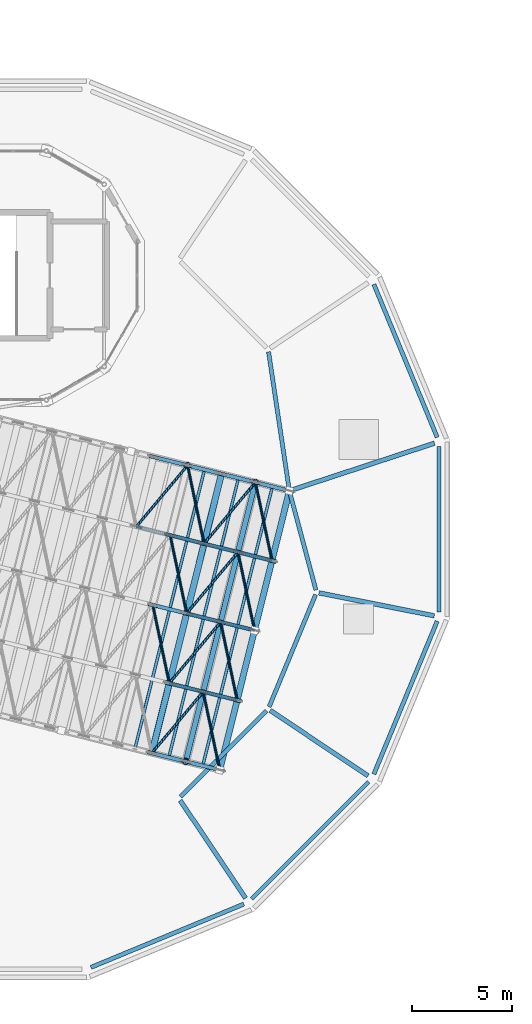
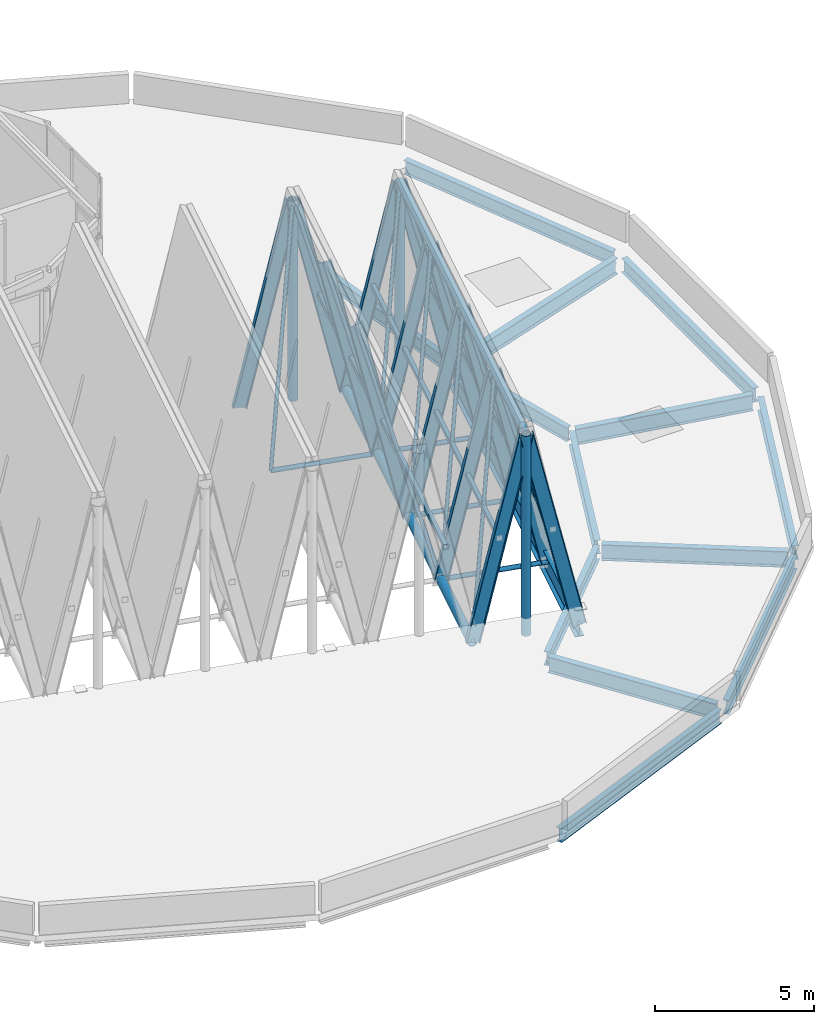
# One storey, part 14 of 51: 38 members, 14 beams.
"""IFC4 building model written with IfcOpenShell, lengths in metres."""

from ifc_helpers import new_model, si_unit, direction, frame, origin, origin_2d, place, context, subcontext, project, spatial, hollow_rectangle, hollow_circle, i_section, extrude, material, material_profile, profile_set, type_object, element, save


model = new_model("IFC4")

# Units and contexts
model_context = context("Model", 3, precision=1e-05, world=origin(), true_north=direction((0.0, 1.0)))
body_context = subcontext(model_context, "Body", "Model", "MODEL_VIEW")
ifc_project = project(units=[si_unit("LENGTHUNIT", "METRE"), si_unit("AREAUNIT", "SQUARE_METRE"), si_unit("VOLUMEUNIT", "CUBIC_METRE"), si_unit("PLANEANGLEUNIT", "RADIAN"), si_unit("MASSUNIT", "GRAM", prefix="KILO")], contexts=[model_context])

# Site, building, storey
site_placement = place(None, origin())
site = spatial("IfcSite", under=ifc_project, at=site_placement, CompositionType="ELEMENT")
building_placement = place(site_placement, origin())
building = spatial("IfcBuilding", under=site, at=building_placement, Name="Wrenclough Park School", CompositionType="ELEMENT")
storey_placement = place(building_placement, frame((0.0, 0.0, 16.800048828125)))
storey = spatial("IfcBuildingStorey", under=building, at=storey_placement, Name="L04", CompositionType="ELEMENT", Elevation=16.800048828125)

# Beams
ifc_material = material(Name="Structural steel S355", Category="steel")
ifc_material_profile_1 = material_profile(ifc_material, i_section(OverallWidth=0.209228515625, OverallDepth=0.533203125, WebThickness=0.010009765625, FlangeThickness=0.015625, FilletRadius=0.0126953125, at=origin_2d()), Name="UKB 533x210x92")
ifc_profile_set_1 = profile_set([ifc_material_profile_1], Name="Structural steel S355")
beam_type_1 = type_object("IfcBeamType", Name="STR-BM-UKB533A", PredefinedType="BEAM", material=ifc_profile_set_1)
beam_1_placement = place(storey_placement, frame((170.0048828125, 28.576416015625, -0.491455078125), z_axis=(-0.14786314815, 0.989007830818, 0.0), x_axis=(-0.989007830818, -0.14786314815, 0.0)))
element("IfcBeam", 1, at=beam_1_placement, inside=storey, type_object=beam_type_1, Name="D1 L04 middle ring beam 1", PredefinedType="BEAM", context=body_context, shape_type="SweptSolid", body=[
    extrude(i_section(OverallWidth=0.209228515625, OverallDepth=0.533203125, WebThickness=0.010009765625, FlangeThickness=0.015625, FilletRadius=0.0126953125, at=origin_2d()), origin(), (0.0, 0.0, 1.0), 6.878662109375),
])
beam_2_placement = place(storey_placement, frame((164.586669921875, 13.11669921875, -0.491455078125), z_axis=(0.707106781187, 0.707106781187, 0.0), x_axis=(-0.707106781187, 0.707106781187, 0.0)))
element("IfcBeam", 2, at=beam_2_placement, inside=storey, type_object=beam_type_1, Name="D1 L04 middle ring beam 14", PredefinedType="BEAM", context=body_context, shape_type="SweptSolid", body=[
    extrude(i_section(OverallWidth=0.209228515625, OverallDepth=0.533203125, WebThickness=0.010009765625, FlangeThickness=0.015625, FilletRadius=0.0126953125, at=origin_2d()), origin(), (0.0, 0.0, 1.0), 6.076416015625),
])
beam_3_placement = place(storey_placement, frame((169.0166015625, 17.61279296875, -0.491455078125), z_axis=(0.382668800126, 0.923885593248, 0.0), x_axis=(-0.923885593248, 0.382668800126, 0.0)))
element("IfcBeam", 3, at=beam_3_placement, inside=storey, type_object=beam_type_1, Name="D1 L04 middle ring beam 15", PredefinedType="BEAM", context=body_context, shape_type="SweptSolid", body=[
    extrude(i_section(OverallWidth=0.209228515625, OverallDepth=0.533203125, WebThickness=0.010009765625, FlangeThickness=0.015625, FilletRadius=0.0126953125, at=origin_2d()), origin(), (0.0, 0.0, 1.0), 6.076171875),
])
beam_4_placement = place(storey_placement, frame((171.357177734375, 23.45751953125, -0.491455078125), z_axis=(-0.258613669925, 0.965980833002, 0.0), x_axis=(-0.965980833002, -0.258613669925, 0.0)))
element("IfcBeam", 4, at=beam_4_placement, inside=storey, type_object=beam_type_1, Name="D1 L04 middle ring beam 16", PredefinedType="BEAM", context=body_context, shape_type="SweptSolid", body=[
    extrude(i_section(OverallWidth=0.209228515625, OverallDepth=0.533203125, WebThickness=0.010009765625, FlangeThickness=0.015625, FilletRadius=0.0126953125, at=origin_2d()), origin(), (0.0, 0.0, 1.0), 4.984619140625),
])
ifc_material_profile_2 = material_profile(ifc_material, i_section(OverallWidth=0.210693359375, OverallDepth=0.53955078125, WebThickness=0.01171875, FlangeThickness=0.018798828125, FilletRadius=0.0126953125, at=origin_2d()), Name="UKB 533x210x109")
ifc_profile_set_2 = profile_set([ifc_material_profile_2], Name="Structural steel S355")
beam_type_2 = type_object("IfcBeamType", Name="STR-BM-UKB533B", PredefinedType="SPANDREL", material=ifc_profile_set_2)
for number, where, z_axis, x_axis, name in (
    (5, (177.4267578125, 31.1015625, -0.49462890625), (-0.382679925467, 0.923880985108, 0.0), (-0.923880985108, -0.382679925467, 0.0), "D1 L04 outer ring spandrel beam 1"),
    (6, (160.1015625, 4.5732421875, -0.49462890625), (0.923880985108, 0.382679925467, 0.0), (-0.382679925467, 0.923880985108, 0.0), "D1 L04 outer ring spandrel beam 13"),
    (7, (168.142333984375, 8.003173828125, -0.49462890625), (0.707106781187, 0.707106781187, 0.0), (-0.707106781187, 0.707106781187, 0.0), "D1 L04 outer ring spandrel beam 14"),
    (8, (174.25830078125, 14.2490234375, -0.49462890625), (0.382679925467, 0.923880985108, 0.0), (-0.923880985108, 0.382679925467, 0.0), "D1 L04 outer ring spandrel beam 15"),
):
    element("IfcBeam", number, at=place(storey_placement, frame(where, z_axis=z_axis, x_axis=x_axis)), inside=storey, type_object=beam_type_2, Name=name, PredefinedType="SPANDREL", context=body_context, shape_type="SweptSolid", body=[
        extrude(i_section(OverallWidth=0.210693359375, OverallDepth=0.53955078125, WebThickness=0.01171875, FlangeThickness=0.018798828125, FilletRadius=0.0126953125, at=origin_2d()), origin(), (0.0, 0.0, 1.0), 8.279541015625),
    ])
beam_5_placement = place(storey_placement, frame((177.5185546875, 22.360107421875, -0.49462890625), z_axis=(0.0, 1.0, 0.0), x_axis=(-1.0, 0.0, 0.0)))
element("IfcBeam", 9, at=beam_5_placement, inside=storey, type_object=beam_type_2, Name="D1 L04 outer ring spandrel beam 16", PredefinedType="SPANDREL", context=body_context, shape_type="SweptSolid", body=[
    extrude(i_section(OverallWidth=0.210693359375, OverallDepth=0.53955078125, WebThickness=0.01171875, FlangeThickness=0.018798828125, FilletRadius=0.0126953125, at=origin_2d()), origin(), (0.0, 0.0, 1.0), 8.27978515625),
])
ifc_material_profile_3 = material_profile(ifc_material, i_section(OverallWidth=0.22900390625, OverallDepth=0.6123046875, WebThickness=0.011962890625, FlangeThickness=0.01953125, FilletRadius=0.0126953125, at=origin_2d()), Name="UKB 610x229x125")
ifc_profile_set_3 = profile_set([ifc_material_profile_3], Name="Structural steel S355")
beam_type_3 = type_object("IfcBeamType", Name="STR-BM-UKB610", PredefinedType="BEAM", material=ifc_profile_set_3)
beam_6_placement = place(storey_placement, frame((177.29052734375, 30.804931640625, -0.53125), z_axis=(-0.950188548446, -0.311675668609, 0.0), x_axis=(0.311675668609, -0.950188548446, 0.0)))
element("IfcBeam", 10, at=beam_6_placement, inside=storey, type_object=beam_type_3, Name="D1 L04 radial girder 1", PredefinedType="BEAM", context=body_context, shape_type="SweptSolid", body=[
    extrude(i_section(OverallWidth=0.22900390625, OverallDepth=0.6123046875, WebThickness=0.011962890625, FlangeThickness=0.01953125, FilletRadius=0.0126953125, at=origin_2d()), origin(), (0.0, 0.0, 1.0), 7.48779296875),
])
for number, where, z_axis, x_axis, name in (
    (11, (167.83935546875, 8.033203125, -0.53125), (-0.555589782054, 0.831456549723, 0.0), (-0.831456549723, -0.555589782054, 0.0), "D1 L04 radial girder 14"),
    (12, (173.966796875, 14.16064453125, -0.53125), (-0.831456549723, 0.555589782054, 0.0), (-0.555589782054, -0.831456549723, 0.0), "D1 L04 radial girder 15"),
):
    element("IfcBeam", number, at=place(storey_placement, frame(where, z_axis=z_axis, x_axis=x_axis)), inside=storey, type_object=beam_type_3, Name=name, PredefinedType="BEAM", context=body_context, shape_type="SweptSolid", body=[
        extrude(i_section(OverallWidth=0.22900390625, OverallDepth=0.6123046875, WebThickness=0.011962890625, FlangeThickness=0.01953125, FilletRadius=0.0126953125, at=origin_2d()), origin(), (0.0, 0.0, 1.0), 5.887939453125),
    ])
beam_7_placement = place(storey_placement, frame((177.283203125, 22.1669921875, -0.53125), z_axis=(-0.980784282486, 0.195095338819, 0.0), x_axis=(-0.195095338819, -0.980784282486, 0.0)))
element("IfcBeam", 13, at=beam_7_placement, inside=storey, type_object=beam_type_3, Name="D1 L04 radial girder 16", PredefinedType="BEAM", context=body_context, shape_type="SweptSolid", body=[
    extrude(i_section(OverallWidth=0.22900390625, OverallDepth=0.6123046875, WebThickness=0.011962890625, FlangeThickness=0.01953125, FilletRadius=0.0126953125, at=origin_2d()), origin(), (0.0, 0.0, 1.0), 5.8876953125),
])
ifc_material_profile_4 = material_profile(ifc_material, i_section(OverallWidth=0.30419921875, OverallDepth=0.910400390625, WebThickness=0.015869140625, FlangeThickness=0.02392578125, FilletRadius=0.01904296875, at=origin_2d()), Name="UKB 914x305x224")
ifc_profile_set_4 = profile_set([ifc_material_profile_4], Name="Structural steel S355")
beam_type_4 = type_object("IfcBeamType", Name="STR-BM-UKB914", PredefinedType="BEAM", material=ifc_profile_set_4)
beam_8_placement = place(storey_placement, frame((166.544189453125, 14.4501953125, -0.68017578125), z_axis=(0.24193321355, 0.970292904324, 0.0), x_axis=(-0.970292904324, 0.24193321355, 0.0)))
element("IfcBeam", 14, at=beam_8_placement, inside=storey, type_object=beam_type_4, Name="D1 folded-plate roof ring beam 2", PredefinedType="BEAM", context=body_context, shape_type="SweptSolid", body=[
    extrude(i_section(OverallWidth=0.30419921875, OverallDepth=0.910400390625, WebThickness=0.015869140625, FlangeThickness=0.02392578125, FilletRadius=0.01904296875, at=origin_2d()), origin(), (0.0, 0.0, 1.0), 14.400146484375),
])

# Members
ifc_material_profile_5 = material_profile(ifc_material, hollow_circle(Radius=0.06982421875, WallThickness=0.008056640625, at=origin_2d()), Name="CHS 139.7x8.0")
ifc_profile_set_5 = profile_set([ifc_material_profile_5], Name="Structural steel S355")
member_type_1 = type_object("IfcMemberType", Name="STR-MEM-BRACE1", PredefinedType="BRACE", material=ifc_profile_set_5)
for number, where, z_axis, x_axis, name in (
    (15, (164.019287109375, 18.7900390625, -0.68017578125), (-0.095481735335, 0.452100943992, 0.886841572469), (-0.978417571733, -0.206637497384, 0.0), "D1 folded-plane diagonal brace 6.2R"),
    (16, (164.89013671875, 22.283203125, -0.68017578125), (-0.095481735335, 0.452100943992, 0.886841572469), (-0.978417571733, -0.206637497384, 0.0), "D1 folded-plane diagonal brace 6.3R"),
    (17, (162.364990234375, 26.623046875, -0.68017578125), (0.296538189213, 0.35434087179, 0.886852664718), (-0.766884728376, 0.641784865344, 0.0), "D1 folded-plane diagonal brace 6.4L"),
    (18, (165.760986328125, 25.776123046875, -0.68017578125), (-0.095481735335, 0.452100943992, 0.886841572469), (-0.978417571733, -0.206637497384, 0.0), "D1 folded-plane diagonal brace 6.4R"),
    (19, (163.148193359375, 15.297119140625, -0.68017578125), (0.296563893332, 0.354337910374, 0.886845252816), (-0.766854708709, 0.641820734887, 0.0), "D1 folded-plane diagonal brace 7.1L"),
    (20, (166.544189453125, 14.4501953125, -0.68017578125), (-0.095453809824, 0.452102160375, 0.886843958526), (-0.978429901169, -0.206579109541, 0.0), "D1 folded-plane diagonal brace 7.1R"),
    (21, (164.019287109375, 18.7900390625, -0.68017578125), (0.296535227827, 0.354365515558, 0.886843808142), (-0.766909849533, 0.641754846253, 0.0), "D1 folded-plane diagonal brace 7.2L"),
    (22, (167.415283203125, 17.943359375, -0.68017578125), (-0.095481735335, 0.452100943992, 0.886841572469), (-0.978417571733, -0.206637497384, 0.0), "D1 folded-plane diagonal brace 7.2R"),
    (23, (164.89013671875, 22.283203125, -0.68017578125), (0.296538189213, 0.35434087179, 0.886852664718), (-0.766884728376, 0.641784865344, 0.0), "D1 folded-plane diagonal brace 7.3L"),
    (24, (168.2861328125, 21.4365234375, -0.68017578125), (-0.095482951878, 0.452078521568, 0.88685287181), (-0.978414967241, -0.206649829126, 0.0), "D1 folded-plane diagonal brace 7.3R"),
    (25, (165.760986328125, 25.776123046875, -0.68017578125), (0.296535227827, 0.354365515558, 0.886843808142), (-0.766909849533, 0.641754846253, 0.0), "D1 folded-plane diagonal brace 7.4L"),
    (26, (169.156982421875, 24.929443359375, -0.68017578125), (-0.095481735335, 0.452100943992, 0.886841572469), (-0.978417571733, -0.206637497384, 0.0), "D1 folded-plane diagonal brace 7.4R"),
):
    element("IfcMember", number, at=place(storey_placement, frame(where, z_axis=z_axis, x_axis=x_axis)), inside=storey, type_object=member_type_1, Name=name, PredefinedType="BRACE", context=body_context, shape_type="SweptSolid", body=[
        extrude(hollow_circle(Radius=0.06982421875, WallThickness=0.008056640625, at=origin_2d()), origin(), (0.0, 0.0, 1.0), 8.662841796875),
    ])
ifc_material_profile_6 = material_profile(ifc_material, hollow_circle(Radius=0.084228515625, WallThickness=0.010009765625, at=origin_2d()), Name="CHS 168.3x10.0")
ifc_profile_set_6 = profile_set([ifc_material_profile_6], Name="Structural steel S355")
member_type_2 = type_object("IfcMemberType", Name="STR-MEM-BRACE2", PredefinedType="BRACE", material=ifc_profile_set_6)
for number, where, z_axis, x_axis, name in (
    (27, (162.364990234375, 26.623046875, -0.68017578125), (0.970281848186, -0.24197755078, 0.0), (0.24197755078, 0.970281848186, 0.0), "D1 bay 6 frame 4 tie member"),
    (28, (164.019287109375, 18.7900390625, -0.68017578125), (0.970298223594, -0.241911879182, 0.0), (0.241911879182, 0.970298223594, 0.0), "D1 bay 7 frame 2 tie member"),
    (29, (164.89013671875, 22.283203125, -0.68017578125), (0.970298223594, -0.241911879182, 0.0), (0.241911879182, 0.970298223594, 0.0), "D1 bay 7 frame 3 tie member"),
    (30, (165.760986328125, 25.776123046875, -0.68017578125), (0.970298223594, -0.241911879182, 0.0), (0.241911879182, 0.970298223594, 0.0), "D1 bay 7 frame 4 tie member"),
):
    element("IfcMember", number, at=place(storey_placement, frame(where, z_axis=z_axis, x_axis=x_axis)), inside=storey, type_object=member_type_2, Name=name, PredefinedType="BRACE", context=body_context, shape_type="SweptSolid", body=[
        extrude(hollow_circle(Radius=0.084228515625, WallThickness=0.010009765625, at=origin_2d()), origin(), (0.0, 0.0, 1.0), 3.5),
    ])
ifc_material_profile_7 = material_profile(ifc_material, hollow_circle(Radius=0.136474609375, WallThickness=0.012451171875, at=origin_2d()), Name="CHS 273.0x12.5")
ifc_profile_set_7 = profile_set([ifc_material_profile_7], Name="Structural steel S355")
member_type_3 = type_object("IfcMemberType", Name="STR-MEM-CHORD1", PredefinedType="CHORD", material=ifc_profile_set_7)
member_1_placement = place(storey_placement, frame((164.84619140625, 14.873779296875, 7.00244140625), z_axis=(0.241921231535, 0.970295891846, 0.0), x_axis=(-0.970295891846, 0.241921231535, 0.0)))
element("IfcMember", 31, at=member_1_placement, inside=storey, type_object=member_type_3, Name="D1 folded-plate ridge chord 7", PredefinedType="CHORD", context=body_context, shape_type="SweptSolid", body=[
    extrude(hollow_circle(Radius=0.136474609375, WallThickness=0.012451171875, at=origin_2d()), origin(), (0.0, 0.0, 1.0), 14.39990234375),
])
ifc_material_profile_8 = material_profile(ifc_material, hollow_circle(Radius=0.161865234375, WallThickness=0.01611328125, at=origin_2d()), Name="CHS 323.9x16.0")
ifc_profile_set_8 = profile_set([ifc_material_profile_8], Name="Structural steel S355")
member_type_4 = type_object("IfcMemberType", Name="STR-MEM-CHORD2", PredefinedType="CHORD", material=ifc_profile_set_8)
member_2_placement = place(storey_placement, frame((163.148193359375, 15.297119140625, -0.68017578125), z_axis=(0.241921231535, 0.970295891846, 0.0), x_axis=(-0.970295891846, 0.241921231535, 0.0)))
element("IfcMember", 32, at=member_2_placement, inside=storey, type_object=member_type_4, Name="D1 folded-plate valley chord 6", PredefinedType="CHORD", context=body_context, shape_type="SweptSolid", body=[
    extrude(hollow_circle(Radius=0.161865234375, WallThickness=0.01611328125, at=origin_2d()), origin(), (0.0, 0.0, 1.0), 14.39990234375),
])
for number, where, z_axis, x_axis, name in (
    (33, (164.933837890625, 29.692626953125, -0.68017578125), (0.0, 0.0, 1.0), (1.0, 0.0, 0.0), "D1 folded-plate gable king-post 6N"),
    (34, (164.84619140625, 14.873779296875, -0.68017578125), (0.0, 0.0, 1.0), (1.0, 0.0, 0.0), "D1 folded-plate gable king-post 7S"),
    (35, (168.329833984375, 28.845947265625, -0.68017578125), (0.0, 0.0, 1.0), (1.0, 0.0, 0.0), "D1 folded-plate gable king-post 7N"),
):
    element("IfcMember", number, at=place(storey_placement, frame(where, z_axis=z_axis, x_axis=x_axis)), inside=storey, type_object=member_type_4, Name=name, PredefinedType="CHORD", context=body_context, shape_type="SweptSolid", body=[
        extrude(hollow_circle(Radius=0.161865234375, WallThickness=0.01611328125, at=origin_2d()), origin(), (0.0, 0.0, 1.0), 7.6826171875),
    ])
ifc_material_profile_9 = material_profile(ifc_material, hollow_rectangle(XDim=0.14990234375, YDim=0.14990234375, WallThickness=0.008056640625, InnerFilletRadius=0.008056640625, OuterFilletRadius=0.011962890625, at=origin_2d()), Name="SHS 150x150x8.0")
ifc_profile_set_9 = profile_set([ifc_material_profile_9], Name="Structural steel S355")
member_type_5 = type_object("IfcMemberType", Name="STR-MEM-PURLIN1", PredefinedType="PURLIN", material=ifc_profile_set_9)
for number, where, z_axis, x_axis, name in (
    (36, (162.29931640625, 15.5087890625, 3.1611328125), (0.241921231535, 0.970295891846, 0.0), (-0.970295891846, 0.241921231535, 0.0), "D1 folded-plate purlin 6R"),
    (37, (163.997314453125, 15.08544921875, 3.1611328125), (0.241921231535, 0.970295891846, 0.0), (-0.970295891846, 0.241921231535, 0.0), "D1 folded-plate purlin 7L"),
    (38, (165.6953125, 14.662109375, 3.1611328125), (0.241921231535, 0.970295891846, 0.0), (-0.970295891846, 0.241921231535, 0.0), "D1 folded-plate purlin 7R"),
):
    element("IfcMember", number, at=place(storey_placement, frame(where, z_axis=z_axis, x_axis=x_axis)), inside=storey, type_object=member_type_5, Name=name, PredefinedType="PURLIN", context=body_context, shape_type="SweptSolid", body=[
        extrude(hollow_rectangle(XDim=0.14990234375, YDim=0.14990234375, WallThickness=0.008056640625, InnerFilletRadius=0.008056640625, OuterFilletRadius=0.011962890625, at=origin_2d()), origin(), (0.0, 0.0, 1.0), 14.39990234375),
    ])
ifc_material_profile_10 = material_profile(ifc_material, i_section(OverallWidth=0.19140625, OverallDepth=0.4599609375, WebThickness=0.010009765625, FlangeThickness=0.01611328125, FilletRadius=0.01025390625, at=origin_2d()), Name="UKB 457x191x82")
ifc_profile_set_10 = profile_set([ifc_material_profile_10], Name="Structural steel S355")
member_type_6 = type_object("IfcMemberType", Name="STR-MEM-RAFTER1", PredefinedType="RAFTER", material=ifc_profile_set_10)
for number, where, z_axis, x_axis, name in (
    (39, (163.192138671875, 22.70654296875, 7.00244140625), (0.215498261419, -0.053727388253, -0.975025059717), (0.241911879182, 0.970298223594, 0.0), "D1 bay 6 frame 3 east rafter"),
    (40, (164.06298828125, 26.19970703125, 7.00244140625), (0.215497902571, -0.053758283388, -0.975023436105), (0.242043219053, 0.970265468885, 0.0), "D1 bay 6 frame 4 east rafter"),
    (41, (163.23583984375, 30.115966796875, -0.68017578125), (0.215498261419, -0.053727388253, 0.975025059717), (0.241911879182, 0.970298223594, 0.0), "D1 bay 6 frame 5 west rafter"),
    (42, (164.933837890625, 29.692626953125, 7.00244140625), (0.215498261419, -0.053727388253, -0.975025059717), (0.241911879182, 0.970298223594, 0.0), "D1 bay 6 frame 5 east rafter"),
    (43, (163.148193359375, 15.297119140625, -0.68017578125), (0.215498261419, -0.053727388253, 0.975025059717), (0.241911879182, 0.970298223594, 0.0), "D1 bay 7 frame 1 west rafter"),
    (44, (164.84619140625, 14.873779296875, 7.00244140625), (0.215497902571, -0.053758283388, -0.975023436105), (0.242043219053, 0.970265468885, 0.0), "D1 bay 7 frame 1 east rafter"),
    (45, (164.019287109375, 18.7900390625, -0.68017578125), (0.215498261419, -0.053727388253, 0.975025059717), (0.241911879182, 0.970298223594, 0.0), "D1 bay 7 frame 2 west rafter"),
    (46, (165.71728515625, 18.36669921875, 7.00244140625), (0.215498261419, -0.053727388253, -0.975025059717), (0.241911879182, 0.970298223594, 0.0), "D1 bay 7 frame 2 east rafter"),
    (47, (164.89013671875, 22.283203125, -0.68017578125), (0.215498261419, -0.053727388253, 0.975025059717), (0.241911879182, 0.970298223594, 0.0), "D1 bay 7 frame 3 west rafter"),
    (48, (166.588134765625, 21.85986328125, 7.00244140625), (0.215498261419, -0.053727388253, -0.975025059717), (0.241911879182, 0.970298223594, 0.0), "D1 bay 7 frame 3 east rafter"),
    (49, (165.760986328125, 25.776123046875, -0.68017578125), (0.215498261419, -0.053727388253, 0.975025059717), (0.241911879182, 0.970298223594, 0.0), "D1 bay 7 frame 4 west rafter"),
    (50, (167.458984375, 25.352783203125, 7.00244140625), (0.215498261419, -0.053727388253, -0.975025059717), (0.241911879182, 0.970298223594, 0.0), "D1 bay 7 frame 4 east rafter"),
    (51, (166.6318359375, 29.269287109375, -0.68017578125), (0.215498261419, -0.053727388253, 0.975025059717), (0.241911879182, 0.970298223594, 0.0), "D1 bay 7 frame 5 west rafter"),
    (52, (168.329833984375, 28.845947265625, 7.00244140625), (0.215527806864, -0.053727029486, -0.975018548937), (0.241879136551, 0.970306386303, 0.0), "D1 bay 7 frame 5 east rafter"),
):
    element("IfcMember", number, at=place(storey_placement, frame(where, z_axis=z_axis, x_axis=x_axis)), inside=storey, type_object=member_type_6, Name=name, PredefinedType="RAFTER", context=body_context, shape_type="SweptSolid", body=[
        extrude(i_section(OverallWidth=0.19140625, OverallDepth=0.4599609375, WebThickness=0.010009765625, FlangeThickness=0.01611328125, FilletRadius=0.01025390625, at=origin_2d()), origin(), (0.0, 0.0, 1.0), 7.87939453125),
    ])

save(model, "model.ifc")
